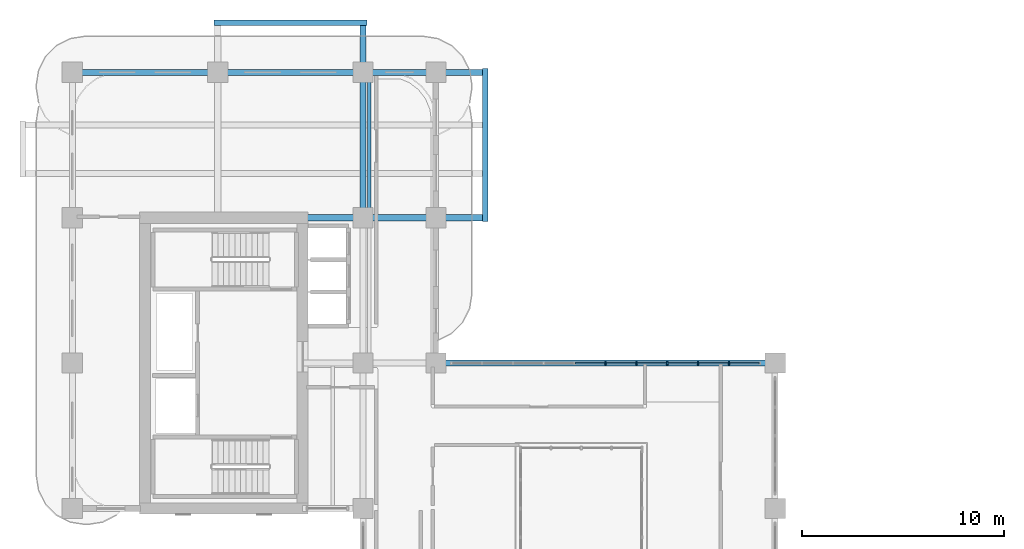
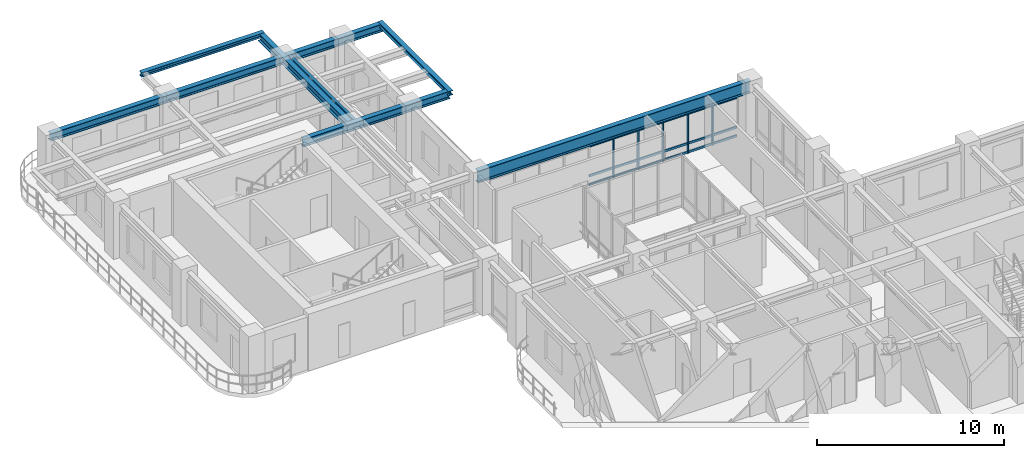
# One storey, part 6 of 19: 23 members, 8 beams, 1 element without a shape of its own.
"""IFC4 building model written with IfcOpenShell, lengths in metres."""

from ifc_helpers import new_model, si_unit, derived_unit, direction, frame, origin, origin_2d, place, context, subcontext, project, spatial, rectangle, i_section, extrude, source, transform, mapped, material, layer, layer_set, material_profile, profile_set, type_object, type_shapes, element, aggregate, save


model = new_model("IFC4")

# Units and contexts
model_context = context("Model", 3, precision=1e-05, world=origin(), true_north=direction((0.0, 1.0)))
body_context = subcontext(model_context, "Body", "Model", "MODEL_VIEW")
ifc_project = project(units=[si_unit("LENGTHUNIT", "METRE"), si_unit("AREAUNIT", "SQUARE_METRE"), si_unit("VOLUMEUNIT", "CUBIC_METRE"), si_unit("PLANEANGLEUNIT", "RADIAN"), si_unit("MASSUNIT", "GRAM", prefix="KILO"), si_unit("THERMODYNAMICTEMPERATUREUNIT", "KELVIN"), si_unit("POWERUNIT", "WATT"), derived_unit("THERMALTRANSMITTANCEUNIT", [(si_unit("POWERUNIT", "WATT"), 1), (si_unit("AREAUNIT", "SQUARE_METRE"), -1), (si_unit("THERMODYNAMICTEMPERATUREUNIT", "KELVIN"), -1)])], contexts=[model_context])

# Site, building, storey
site_placement = place(None, origin())
site = spatial("IfcSite", under=ifc_project, at=site_placement, CompositionType="ELEMENT")
building_placement = place(site_placement, origin())
building = spatial("IfcBuilding", under=site, at=building_placement, Name="Zahravan Archway Hotel and Residences", CompositionType="ELEMENT")
storey_placement = place(building_placement, frame((0.0, 0.0, 134.0)))
storey = spatial("IfcBuildingStorey", under=building, at=storey_placement, Name="L33", CompositionType="ELEMENT", Elevation=134.0)

# Beams
ifc_material_1 = material(Name="Structural Steel S355JR", Category="steel")
ifc_material_profile_1 = material_profile(ifc_material_1, i_section(OverallWidth=0.280029296875, OverallDepth=0.280029296875, WebThickness=0.010498046875, FlangeThickness=0.01806640625, FilletRadius=0.02392578125, at=origin_2d()), Name="HEB 280", Category="steel")
ifc_profile_set_1 = profile_set([ifc_material_profile_1], Name="Structural Steel S355JR")
beam_type_1 = type_object("IfcBeamType", Name="BM-SPN-HEB280", PredefinedType="SPANDREL", material=ifc_profile_set_1)
shared_shape_1 = source(origin(), body_context, "Body", "SweptSolid", [
    extrude(i_section(OverallWidth=0.280029296875, OverallDepth=0.280029296875, WebThickness=0.010498046875, FlangeThickness=0.01806640625, FilletRadius=0.02392578125, at=origin_2d()), origin(), (0.0, 0.0, 1.0), 7.56005859375),
])
type_shapes(beam_type_1, [shared_shape_1])
for number, where, z_axis, x_axis, name in (
    (1, (20.449951171875, 39.419921875, 3.31005859375), (0.0, 1.0, 0.0), (-1.0, 0.0, 0.0), "L34 EB Balcony Edge Spandrel"),
    (2, (7.02001953125, 49.25, 3.31005859375), (1.0, 0.0, 0.0), (0.0, 1.0, 0.0), "L34 NB Balcony Edge Spandrel"),
):
    element("IfcBeam", number, at=place(storey_placement, frame(where, z_axis=z_axis, x_axis=x_axis)), inside=storey, type_object=beam_type_1, Name=name, PredefinedType="SPANDREL", context=body_context, shape_type="MappedRepresentation", body=[
        mapped(shared_shape_1, transform((0.0, 0.0, 0.0), scale=1.0)),
    ])
ifc_material_2 = material(Name="Structural Steel S355J2", Category="steel")
ifc_material_profile_2 = material_profile(ifc_material_2, i_section(OverallWidth=0.300048828125, OverallDepth=0.800048828125, WebThickness=0.017578125, FlangeThickness=0.032958984375, FilletRadius=0.030029296875, at=origin_2d()), Name="HEB 800", Category="steel")
ifc_profile_set_2 = profile_set([ifc_material_profile_2], Name="Structural Steel S355J2")
beam_type_2 = type_object("IfcBeamType", Name="BM-PRI-HEB800", PredefinedType="BEAM", material=ifc_profile_set_2)
shared_shape_2 = source(origin(), body_context, "Body", "SweptSolid", [
    extrude(i_section(OverallWidth=0.300048828125, OverallDepth=0.800048828125, WebThickness=0.017578125, FlangeThickness=0.032958984375, FilletRadius=0.030029296875, at=origin_2d()), origin(), (0.0, 0.0, 1.0), 16.800048828125),
])
type_shapes(beam_type_2, [shared_shape_2])
beam_1_placement = place(storey_placement, frame((18.0, 32.39990234375, 3.050048828125), z_axis=(1.0, 0.0, 0.0), x_axis=(0.0, 1.0, 0.0)))
element("IfcBeam", 3, at=beam_1_placement, inside=storey, type_object=beam_type_2, Name="L33 Primary Girder EW-18", PredefinedType="BEAM", context=body_context, shape_type="MappedRepresentation", body=[
    mapped(shared_shape_2, transform((0.0, 0.0, 0.0), scale=1.0)),
])
ifc_material_profile_3 = material_profile(ifc_material_1, i_section(OverallWidth=0.300048828125, OverallDepth=0.5, WebThickness=0.014404296875, FlangeThickness=0.028076171875, FilletRadius=0.027099609375, at=origin_2d()), Name="HEB 500", Category="steel")
ifc_profile_set_3 = profile_set([ifc_material_profile_3], Name="Structural Steel S355JR")
beam_type_3 = type_object("IfcBeamType", Name="BM-PRI-HEB500", PredefinedType="BEAM", material=ifc_profile_set_3)
shared_shape_3 = source(origin(), body_context, "Body", "SweptSolid", [
    extrude(i_section(OverallWidth=0.300048828125, OverallDepth=0.5, WebThickness=0.014404296875, FlangeThickness=0.028076171875, FilletRadius=0.027099609375, at=origin_2d()), origin(), (0.0, 0.0, 1.0), 7.199951171875),
])
beam_2_placement = place(storey_placement, frame((0.0, 46.800048828125, 3.199951171875), z_axis=(1.0, 0.0, 0.0), x_axis=(0.0, 1.0, 0.0)))
element("IfcBeam", 4, at=beam_2_placement, inside=storey, type_object=beam_type_3, Name="L33 Primary Girder EW-20", PredefinedType="BEAM", context=body_context, shape_type="MappedRepresentation", body=[
    mapped(shared_shape_3, transform((0.0, 0.0, 0.0), scale=1.0)),
])
shared_shape_4 = source(origin(), body_context, "Body", "SweptSolid", [
    extrude(i_section(OverallWidth=0.300048828125, OverallDepth=0.5, WebThickness=0.014404296875, FlangeThickness=0.028076171875, FilletRadius=0.027099609375, at=origin_2d()), origin(), (0.0, 0.0, 1.0), 9.050048828125),
])
beam_3_placement = place(storey_placement, frame((11.39990234375, 39.60009765625, 3.199951171875), z_axis=(1.0, 0.0, 0.0), x_axis=(0.0, 1.0, 0.0)))
element("IfcBeam", 5, at=beam_3_placement, inside=storey, type_object=beam_type_3, Name="L33 Primary Girder EW-19", PredefinedType="BEAM", context=body_context, shape_type="MappedRepresentation", body=[
    mapped(shared_shape_4, transform((0.0, 0.0, 0.0), scale=1.0)),
])
shared_shape_5 = source(origin(), body_context, "Body", "SweptSolid", [
    extrude(i_section(OverallWidth=0.300048828125, OverallDepth=0.5, WebThickness=0.014404296875, FlangeThickness=0.028076171875, FilletRadius=0.027099609375, at=origin_2d()), origin(), (0.0, 0.0, 1.0), 13.25),
])
beam_4_placement = place(storey_placement, frame((7.199951171875, 46.800048828125, 3.199951171875), z_axis=(1.0, 0.0, 0.0), x_axis=(0.0, 1.0, 0.0)))
element("IfcBeam", 6, at=beam_4_placement, inside=storey, type_object=beam_type_3, Name="L33 Primary Girder EW-21", PredefinedType="BEAM", context=body_context, shape_type="MappedRepresentation", body=[
    mapped(shared_shape_5, transform((0.0, 0.0, 0.0), scale=1.0)),
])
shared_shape_6 = source(origin(), body_context, "Body", "SweptSolid", [
    extrude(i_section(OverallWidth=0.300048828125, OverallDepth=0.5, WebThickness=0.014404296875, FlangeThickness=0.028076171875, FilletRadius=0.027099609375, at=origin_2d()), origin(), (0.0, 0.0, 1.0), 9.64990234375),
])
beam_5_placement = place(storey_placement, frame((14.39990234375, 39.60009765625, 3.199951171875), z_axis=(0.0, 1.0, 0.0), x_axis=(-1.0, 0.0, 0.0)))
element("IfcBeam", 7, at=beam_5_placement, inside=storey, type_object=beam_type_3, Name="L33 Primary Girder NS-34", PredefinedType="BEAM", context=body_context, shape_type="MappedRepresentation", body=[
    mapped(shared_shape_6, transform((0.0, 0.0, 0.0), scale=1.0)),
])
ifc_material_profile_4 = material_profile(ifc_material_1, i_section(OverallWidth=0.159912109375, OverallDepth=0.330078125, WebThickness=0.007568359375, FlangeThickness=0.011474609375, FilletRadius=0.01806640625, at=origin_2d()), Name="IPE 330", Category="steel")
ifc_profile_set_4 = profile_set([ifc_material_profile_4], Name="Structural Steel S355JR")
beam_type_4 = type_object("IfcBeamType", Name="BM-JST-IPE330", PredefinedType="JOIST", material=ifc_profile_set_4)
shared_shape_7 = source(origin(), body_context, "Body", "SweptSolid", [
    extrude(i_section(OverallWidth=0.159912109375, OverallDepth=0.330078125, WebThickness=0.007568359375, FlangeThickness=0.011474609375, FilletRadius=0.01806640625, at=origin_2d()), origin(), (0.0, 0.0, 1.0), 6.904052734375),
])
type_shapes(beam_type_4, [shared_shape_7])
beam_6_placement = place(storey_placement, frame((14.699951171875, 39.748046875, 3.284912109375), z_axis=(0.0, 1.0, 0.0), x_axis=(-1.0, 0.0, 0.0)))
element("IfcBeam", 8, at=beam_6_placement, inside=storey, type_object=beam_type_4, Name="L33 Composite Floor Joist 12", PredefinedType="JOIST", context=body_context, shape_type="MappedRepresentation", body=[
    mapped(shared_shape_7, transform((0.0, 0.0, 0.0), scale=1.0)),
])

# Curtain wall, members
ifc_material_3 = material(Name="Bronze-Anodized Unitised Aluminium & Low-E Glass", Category="aluminium")
ifc_layer = layer(ifc_material_3, 0.179931640625, Name="Bronze-Anodized Unitised Aluminium & Low-E Glass", Category="aluminium")
ifc_layer_set = layer_set([ifc_layer], Name="Bronze-Anodized Unitised Aluminium & Low-E Glass")
curtain_wall_type = type_object("IfcCurtainWallType", Name="CW-ATR-GLAZ", PredefinedType="NOTDEFINED", material=ifc_layer_set)
curtain_wall_placement = place(storey_placement, origin())
curtain_wall = element("IfcCurtainWall", 9, at=curtain_wall_placement, inside=storey, type_object=curtain_wall_type, Name="L33 Curtain Wall CW-L33-HNG-N-1", PredefinedType="NOTDEFINED")
ifc_material_4 = material(Name="Bronze-Anodized Extruded Aluminium", Category="aluminium")
ifc_material_profile_5 = material_profile(ifc_material_4, rectangle(XDim=0.080078125, YDim=0.159912109375, at=origin_2d()), Name="MUL 80x160", Category="aluminium")
ifc_profile_set_5 = profile_set([ifc_material_profile_5], Name="Bronze-Anodized Extruded Aluminium")
member_type_1 = type_object("IfcMemberType", Name="CWM-MUL-160", PredefinedType="MULLION", material=ifc_profile_set_5)
shared_shape_8 = source(origin(), body_context, "Body", "SweptSolid", [
    extrude(rectangle(XDim=0.080078125, YDim=0.159912109375, at=origin_2d()), origin(), (0.0, 0.0, 1.0), 2.635009765625),
])
member_1_placement = place(storey_placement, frame((26.39990234375, 32.39990234375, 0.0), z_axis=(0.0, 0.0, 1.0), x_axis=(1.0, 0.0, 0.0)))
member_1 = element("IfcMember", 10, at=member_1_placement, type_object=member_type_1, Name="CW-L33-HNG-N-1 Mullion 5", PredefinedType="MULLION", context=body_context, shape_type="MappedRepresentation", body=[
    mapped(shared_shape_8, transform((0.0, 0.0, 0.0), scale=1.0)),
])
member_2_placement = place(storey_placement, frame((27.927978515625, 32.39990234375, 0.0), z_axis=(0.0, 0.0, 1.0), x_axis=(1.0, 0.0, 0.0)))
member_2 = element("IfcMember", 11, at=member_2_placement, type_object=member_type_1, Name="CW-L33-HNG-N-1 Mullion 6", PredefinedType="MULLION", context=body_context, shape_type="MappedRepresentation", body=[
    mapped(shared_shape_8, transform((0.0, 0.0, 0.0), scale=1.0)),
])
member_3_placement = place(storey_placement, frame((29.4560546875, 32.39990234375, 0.0), z_axis=(0.0, 0.0, 1.0), x_axis=(1.0, 0.0, 0.0)))
member_3 = element("IfcMember", 12, at=member_3_placement, type_object=member_type_1, Name="CW-L33-HNG-N-1 Mullion 7", PredefinedType="MULLION", context=body_context, shape_type="MappedRepresentation", body=[
    mapped(shared_shape_8, transform((0.0, 0.0, 0.0), scale=1.0)),
])
member_4_placement = place(storey_placement, frame((30.98388671875, 32.39990234375, 0.0), z_axis=(0.0, 0.0, 1.0), x_axis=(1.0, 0.0, 0.0)))
member_4 = element("IfcMember", 13, at=member_4_placement, type_object=member_type_1, Name="CW-L33-HNG-N-1 Mullion 8", PredefinedType="MULLION", context=body_context, shape_type="MappedRepresentation", body=[
    mapped(shared_shape_8, transform((0.0, 0.0, 0.0), scale=1.0)),
])
member_5_placement = place(storey_placement, frame((32.511962890625, 32.39990234375, 0.0), z_axis=(0.0, 0.0, 1.0), x_axis=(1.0, 0.0, 0.0)))
member_5 = element("IfcMember", 14, at=member_5_placement, type_object=member_type_1, Name="CW-L33-HNG-N-1 Mullion 9", PredefinedType="MULLION", context=body_context, shape_type="MappedRepresentation", body=[
    mapped(shared_shape_8, transform((0.0, 0.0, 0.0), scale=1.0)),
])
ifc_material_profile_6 = material_profile(ifc_material_4, rectangle(XDim=0.080078125, YDim=0.139892578125, at=origin_2d()), Name="TRN 80x140", Category="aluminium")
ifc_profile_set_6 = profile_set([ifc_material_profile_6], Name="Bronze-Anodized Extruded Aluminium")
member_type_2 = type_object("IfcMemberType", Name="CWM-TRN-140", PredefinedType="USERDEFINED", material=ifc_profile_set_6)
shared_shape_9 = source(origin(), body_context, "Body", "SweptSolid", [
    extrude(rectangle(XDim=0.080078125, YDim=0.139892578125, at=origin_2d()), origin(), (0.0, 0.0, 1.0), 1.447998046875),
])
member_6_placement = place(storey_placement, frame((24.912109375, 32.39990234375, 0.070068359375), z_axis=(1.0, 0.0, 0.0), x_axis=(0.0, 1.0, 0.0)))
member_6 = element("IfcMember", 15, at=member_6_placement, type_object=member_type_2, Name="CW-L33-HNG-N-1 Transom 4-1", ObjectType="TRANSOM", PredefinedType="USERDEFINED", context=body_context, shape_type="MappedRepresentation", body=[
    mapped(shared_shape_9, transform((0.0, 0.0, 0.0), scale=1.0)),
])
member_7_placement = place(storey_placement, frame((24.912109375, 32.39990234375, 0.63232421875), z_axis=(1.0, 0.0, 0.0), x_axis=(0.0, 1.0, 0.0)))
member_7 = element("IfcMember", 16, at=member_7_placement, type_object=member_type_2, Name="CW-L33-HNG-N-1 Transom 4-2", ObjectType="TRANSOM", PredefinedType="USERDEFINED", context=body_context, shape_type="MappedRepresentation", body=[
    mapped(shared_shape_9, transform((0.0, 0.0, 0.0), scale=1.0)),
])
member_8_placement = place(storey_placement, frame((24.912109375, 32.39990234375, 2.56494140625), z_axis=(1.0, 0.0, 0.0), x_axis=(0.0, 1.0, 0.0)))
member_8 = element("IfcMember", 17, at=member_8_placement, type_object=member_type_2, Name="CW-L33-HNG-N-1 Transom 4-3", ObjectType="TRANSOM", PredefinedType="USERDEFINED", context=body_context, shape_type="MappedRepresentation", body=[
    mapped(shared_shape_9, transform((0.0, 0.0, 0.0), scale=1.0)),
])
member_9_placement = place(storey_placement, frame((26.43994140625, 32.39990234375, 0.070068359375), z_axis=(1.0, 0.0, 0.0), x_axis=(0.0, 1.0, 0.0)))
member_9 = element("IfcMember", 18, at=member_9_placement, type_object=member_type_2, Name="CW-L33-HNG-N-1 Transom 5-1", ObjectType="TRANSOM", PredefinedType="USERDEFINED", context=body_context, shape_type="MappedRepresentation", body=[
    mapped(shared_shape_9, transform((0.0, 0.0, 0.0), scale=1.0)),
])
member_10_placement = place(storey_placement, frame((26.43994140625, 32.39990234375, 0.63232421875), z_axis=(1.0, 0.0, 0.0), x_axis=(0.0, 1.0, 0.0)))
member_10 = element("IfcMember", 19, at=member_10_placement, type_object=member_type_2, Name="CW-L33-HNG-N-1 Transom 5-2", ObjectType="TRANSOM", PredefinedType="USERDEFINED", context=body_context, shape_type="MappedRepresentation", body=[
    mapped(shared_shape_9, transform((0.0, 0.0, 0.0), scale=1.0)),
])
member_11_placement = place(storey_placement, frame((26.43994140625, 32.39990234375, 2.56494140625), z_axis=(1.0, 0.0, 0.0), x_axis=(0.0, 1.0, 0.0)))
member_11 = element("IfcMember", 20, at=member_11_placement, type_object=member_type_2, Name="CW-L33-HNG-N-1 Transom 5-3", ObjectType="TRANSOM", PredefinedType="USERDEFINED", context=body_context, shape_type="MappedRepresentation", body=[
    mapped(shared_shape_9, transform((0.0, 0.0, 0.0), scale=1.0)),
])
member_12_placement = place(storey_placement, frame((27.968017578125, 32.39990234375, 0.070068359375), z_axis=(1.0, 0.0, 0.0), x_axis=(0.0, 1.0, 0.0)))
member_12 = element("IfcMember", 21, at=member_12_placement, type_object=member_type_2, Name="CW-L33-HNG-N-1 Transom 6-1", ObjectType="TRANSOM", PredefinedType="USERDEFINED", context=body_context, shape_type="MappedRepresentation", body=[
    mapped(shared_shape_9, transform((0.0, 0.0, 0.0), scale=1.0)),
])
member_13_placement = place(storey_placement, frame((27.968017578125, 32.39990234375, 0.63232421875), z_axis=(1.0, 0.0, 0.0), x_axis=(0.0, 1.0, 0.0)))
member_13 = element("IfcMember", 22, at=member_13_placement, type_object=member_type_2, Name="CW-L33-HNG-N-1 Transom 6-2", ObjectType="TRANSOM", PredefinedType="USERDEFINED", context=body_context, shape_type="MappedRepresentation", body=[
    mapped(shared_shape_9, transform((0.0, 0.0, 0.0), scale=1.0)),
])
member_14_placement = place(storey_placement, frame((27.968017578125, 32.39990234375, 2.56494140625), z_axis=(1.0, 0.0, 0.0), x_axis=(0.0, 1.0, 0.0)))
member_14 = element("IfcMember", 23, at=member_14_placement, type_object=member_type_2, Name="CW-L33-HNG-N-1 Transom 6-3", ObjectType="TRANSOM", PredefinedType="USERDEFINED", context=body_context, shape_type="MappedRepresentation", body=[
    mapped(shared_shape_9, transform((0.0, 0.0, 0.0), scale=1.0)),
])
member_15_placement = place(storey_placement, frame((29.49609375, 32.39990234375, 0.070068359375), z_axis=(1.0, 0.0, 0.0), x_axis=(0.0, 1.0, 0.0)))
member_15 = element("IfcMember", 24, at=member_15_placement, type_object=member_type_2, Name="CW-L33-HNG-N-1 Transom 7-1", ObjectType="TRANSOM", PredefinedType="USERDEFINED", context=body_context, shape_type="MappedRepresentation", body=[
    mapped(shared_shape_9, transform((0.0, 0.0, 0.0), scale=1.0)),
])
member_16_placement = place(storey_placement, frame((29.49609375, 32.39990234375, 0.63232421875), z_axis=(1.0, 0.0, 0.0), x_axis=(0.0, 1.0, 0.0)))
member_16 = element("IfcMember", 25, at=member_16_placement, type_object=member_type_2, Name="CW-L33-HNG-N-1 Transom 7-2", ObjectType="TRANSOM", PredefinedType="USERDEFINED", context=body_context, shape_type="MappedRepresentation", body=[
    mapped(shared_shape_9, transform((0.0, 0.0, 0.0), scale=1.0)),
])
member_17_placement = place(storey_placement, frame((29.49609375, 32.39990234375, 2.56494140625), z_axis=(1.0, 0.0, 0.0), x_axis=(0.0, 1.0, 0.0)))
member_17 = element("IfcMember", 26, at=member_17_placement, type_object=member_type_2, Name="CW-L33-HNG-N-1 Transom 7-3", ObjectType="TRANSOM", PredefinedType="USERDEFINED", context=body_context, shape_type="MappedRepresentation", body=[
    mapped(shared_shape_9, transform((0.0, 0.0, 0.0), scale=1.0)),
])
member_18_placement = place(storey_placement, frame((31.02392578125, 32.39990234375, 0.070068359375), z_axis=(1.0, 0.0, 0.0), x_axis=(0.0, 1.0, 0.0)))
member_18 = element("IfcMember", 27, at=member_18_placement, type_object=member_type_2, Name="CW-L33-HNG-N-1 Transom 8-1", ObjectType="TRANSOM", PredefinedType="USERDEFINED", context=body_context, shape_type="MappedRepresentation", body=[
    mapped(shared_shape_9, transform((0.0, 0.0, 0.0), scale=1.0)),
])
member_19_placement = place(storey_placement, frame((31.02392578125, 32.39990234375, 0.63232421875), z_axis=(1.0, 0.0, 0.0), x_axis=(0.0, 1.0, 0.0)))
member_19 = element("IfcMember", 28, at=member_19_placement, type_object=member_type_2, Name="CW-L33-HNG-N-1 Transom 8-2", ObjectType="TRANSOM", PredefinedType="USERDEFINED", context=body_context, shape_type="MappedRepresentation", body=[
    mapped(shared_shape_9, transform((0.0, 0.0, 0.0), scale=1.0)),
])
member_20_placement = place(storey_placement, frame((31.02392578125, 32.39990234375, 2.56494140625), z_axis=(1.0, 0.0, 0.0), x_axis=(0.0, 1.0, 0.0)))
member_20 = element("IfcMember", 29, at=member_20_placement, type_object=member_type_2, Name="CW-L33-HNG-N-1 Transom 8-3", ObjectType="TRANSOM", PredefinedType="USERDEFINED", context=body_context, shape_type="MappedRepresentation", body=[
    mapped(shared_shape_9, transform((0.0, 0.0, 0.0), scale=1.0)),
])
member_21_placement = place(storey_placement, frame((32.552001953125, 32.39990234375, 0.070068359375), z_axis=(1.0, 0.0, 0.0), x_axis=(0.0, 1.0, 0.0)))
member_21 = element("IfcMember", 30, at=member_21_placement, type_object=member_type_2, Name="CW-L33-HNG-N-1 Transom 9-1", ObjectType="TRANSOM", PredefinedType="USERDEFINED", context=body_context, shape_type="MappedRepresentation", body=[
    mapped(shared_shape_9, transform((0.0, 0.0, 0.0), scale=1.0)),
])
member_22_placement = place(storey_placement, frame((32.552001953125, 32.39990234375, 0.63232421875), z_axis=(1.0, 0.0, 0.0), x_axis=(0.0, 1.0, 0.0)))
member_22 = element("IfcMember", 31, at=member_22_placement, type_object=member_type_2, Name="CW-L33-HNG-N-1 Transom 9-2", ObjectType="TRANSOM", PredefinedType="USERDEFINED", context=body_context, shape_type="MappedRepresentation", body=[
    mapped(shared_shape_9, transform((0.0, 0.0, 0.0), scale=1.0)),
])
member_23_placement = place(storey_placement, frame((32.552001953125, 32.39990234375, 2.56494140625), z_axis=(1.0, 0.0, 0.0), x_axis=(0.0, 1.0, 0.0)))
member_23 = element("IfcMember", 32, at=member_23_placement, type_object=member_type_2, Name="CW-L33-HNG-N-1 Transom 9-3", ObjectType="TRANSOM", PredefinedType="USERDEFINED", context=body_context, shape_type="MappedRepresentation", body=[
    mapped(shared_shape_9, transform((0.0, 0.0, 0.0), scale=1.0)),
])
aggregate(curtain_wall, [member_1, member_2, member_3, member_4, member_5, member_6, member_7, member_8, member_9, member_10, member_11, member_12, member_13, member_14, member_15, member_16, member_17, member_18, member_19, member_20, member_21, member_22, member_23])

save(model, "model.ifc")
